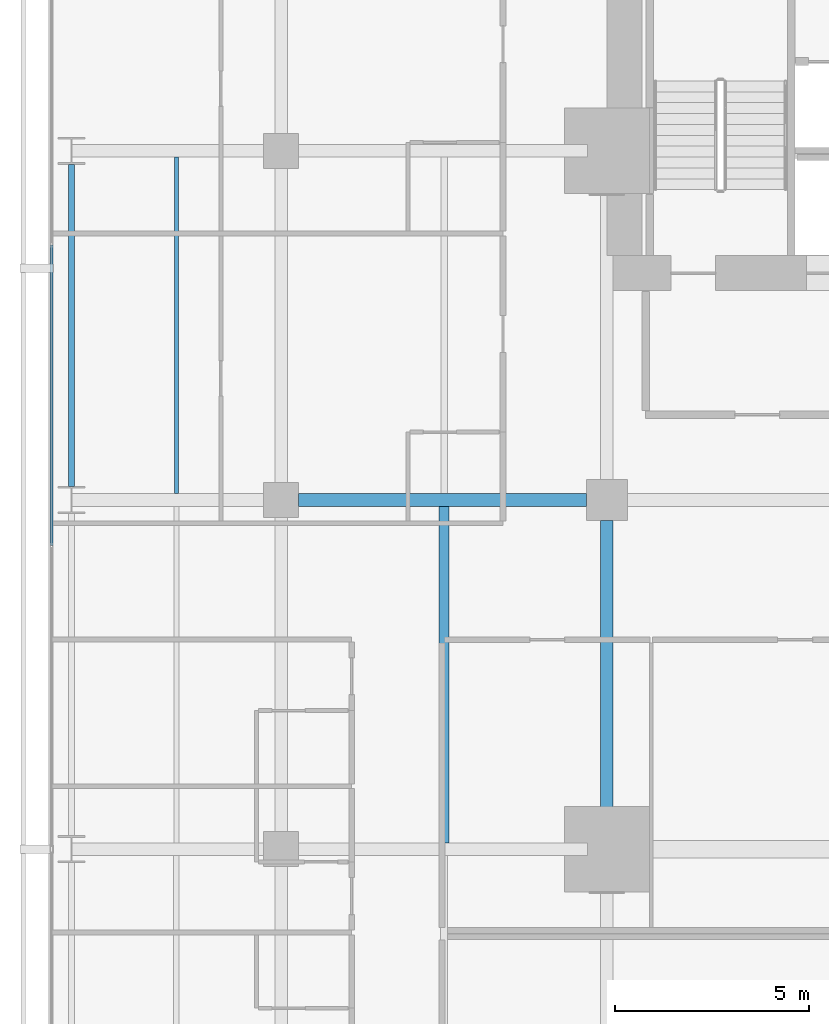
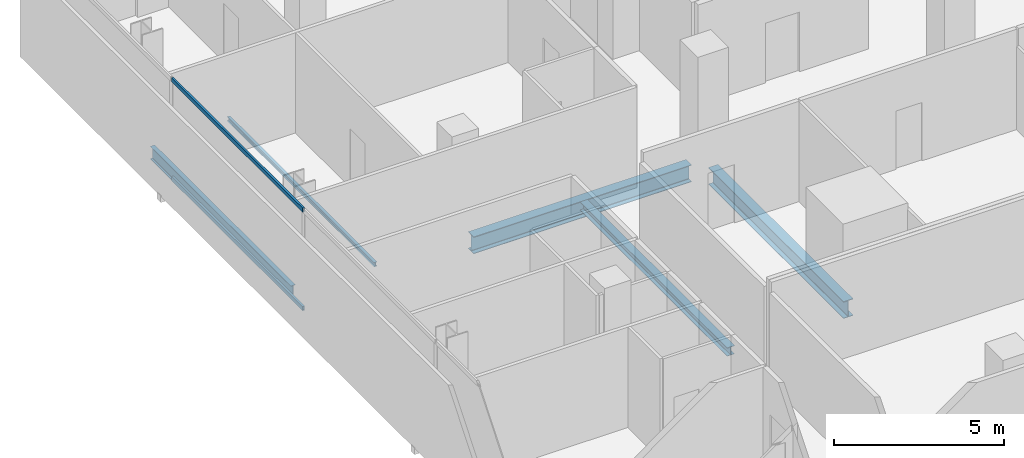
# One storey, part 22 of 40: 5 beams, 2 members, 1 element without a shape of its own.
"""IFC4 building model written with IfcOpenShell, lengths in metres."""

from ifc_helpers import new_model, si_unit, direction, frame, origin, origin_2d, place, context, subcontext, project, spatial, hollow_rectangle, i_section, extrude, material, layer, layer_set, material_profile, profile_set, type_object, element, aggregate, save


model = new_model("IFC4")

# Units and contexts
model_context = context("Model", 3, precision=1e-05, world=origin(), true_north=direction((0.0, 1.0)))
body_context = subcontext(model_context, "Body", "Model", "MODEL_VIEW")
ifc_project = project(units=[si_unit("LENGTHUNIT", "METRE"), si_unit("AREAUNIT", "SQUARE_METRE"), si_unit("VOLUMEUNIT", "CUBIC_METRE"), si_unit("PLANEANGLEUNIT", "RADIAN"), si_unit("MASSUNIT", "GRAM", prefix="KILO")], contexts=[model_context])

# Site, building, storey
site_placement = place(None, origin())
site = spatial("IfcSite", under=ifc_project, at=site_placement, CompositionType="ELEMENT")
building_placement = place(site_placement, origin())
building = spatial("IfcBuilding", under=site, at=building_placement, Name="Maruvema Waterfront Hotel and Observation Tower", CompositionType="ELEMENT")
storey_placement = place(building_placement, frame((0.0, 0.0, 103.949951171875)))
storey = spatial("IfcBuildingStorey", under=building, at=storey_placement, Name="L25", CompositionType="ELEMENT", Elevation=103.949951171875)

# Curtain wall, members
ifc_material_1 = material(Name="Anodised bronze aluminium and solar-control low-E IGU", Category="aluminium")
ifc_layer = layer(ifc_material_1, 0.159912109375, Name="Zone 1 Bronze Inner Thermal Curtain Wall System CW-02")
ifc_layer_set = layer_set([ifc_layer], Name="Anodised bronze aluminium and solar-control low-E IGU")
curtain_wall_type = type_object("IfcCurtainWallType", Name="Zone 1 Bronze Inner Thermal Curtain Wall System CW-02", PredefinedType="USERDEFINED", material=ifc_layer_set)
curtain_wall_placement = place(storey_placement, origin())
curtain_wall = element("IfcCurtainWall", 1, at=curtain_wall_placement, inside=storey, type_object=curtain_wall_type, Name="L25 Curtain Wall CW-L25-W", ObjectType="UNITISED CURTAIN WALL", PredefinedType="USERDEFINED")
ifc_material_2 = material(Name="Anodised architectural bronze aluminium", Category="aluminium")
ifc_material_profile_1 = material_profile(ifc_material_2, hollow_rectangle(XDim=0.070068359375, YDim=0.14990234375, WallThickness=0.00390625, at=origin_2d()), Name="ALU-T70x150")
ifc_profile_set_1 = profile_set([ifc_material_profile_1], Name="Anodised architectural bronze aluminium")
member_type = type_object("IfcMemberType", Name="Curtain Wall Horizontal Transom ALU-T70x150", PredefinedType="USERDEFINED", material=ifc_profile_set_1)
member_1_placement = place(storey_placement, frame((10.8798828125, 42.570068359375, 0.030029296875), z_axis=(0.0, -1.0, 0.0), x_axis=(1.0, 0.0, 0.0)))
member_1 = element("IfcMember", 2, at=member_1_placement, type_object=member_type, Name="CW-02 transom 2.1", ObjectType="TRANSOM", PredefinedType="USERDEFINED", context=body_context, shape_type="SweptSolid", body=[
    extrude(hollow_rectangle(XDim=0.070068359375, YDim=0.14990234375, WallThickness=0.00390625, at=origin_2d()), origin(), (0.0, 0.0, 1.0), 7.739990234375),
])
member_2_placement = place(storey_placement, frame((10.8798828125, 42.570068359375, 3.580078125), z_axis=(0.0, -1.0, 0.0), x_axis=(1.0, 0.0, 0.0)))
member_2 = element("IfcMember", 3, at=member_2_placement, type_object=member_type, Name="CW-02 transom 2.2", ObjectType="TRANSOM", PredefinedType="USERDEFINED", context=body_context, shape_type="SweptSolid", body=[
    extrude(hollow_rectangle(XDim=0.070068359375, YDim=0.14990234375, WallThickness=0.00390625, at=origin_2d()), origin(), (0.0, 0.0, 1.0), 7.739990234375),
])
aggregate(curtain_wall, [member_1, member_2])

# Beams
ifc_material_3 = material(Name="Steel ASTM A572 Grade 50", Category="steel")
ifc_material_profile_2 = material_profile(ifc_material_3, i_section(OverallWidth=0.153076171875, OverallDepth=0.455078125, WebThickness=0.008056640625, FlangeThickness=0.01318359375, FilletRadius=0.014892578125, at=origin_2d()), Name="W460x60.0")
ifc_profile_set_2 = profile_set([ifc_material_profile_2], Name="Steel ASTM A572 Grade 50")
beam_type_1 = type_object("IfcBeamType", Name="Perimeter Spandrel Beam W460x60.0", PredefinedType="SPANDREL", material=ifc_profile_set_2)
beam_1_placement = place(storey_placement, frame((11.39990234375, 36.35009765625, -0.467529296875), z_axis=(0.0, 1.0, 0.0), x_axis=(-1.0, 0.0, 0.0)))
element("IfcBeam", 4, at=beam_1_placement, inside=storey, type_object=beam_type_1, Name="L25 Floor Girder NS-04", PredefinedType="SPANDREL", context=body_context, shape_type="SweptSolid", body=[
    extrude(i_section(OverallWidth=0.153076171875, OverallDepth=0.455078125, WebThickness=0.008056640625, FlangeThickness=0.01318359375, FilletRadius=0.014892578125, at=origin_2d()), origin(), (0.0, 0.0, 1.0), 8.2998046875),
])
ifc_material_4 = material(Name="Steel ASTM A572 Grade 50", Category="steel")
ifc_material_profile_3 = material_profile(ifc_material_4, i_section(OverallWidth=0.323974609375, OverallDepth=0.611083984375, WebThickness=0.0126953125, FlangeThickness=0.01904296875, FilletRadius=0.01806640625, at=origin_2d()), Name="W610x155.0")
ifc_profile_set_3 = profile_set([ifc_material_profile_3], Name="Steel ASTM A572 Grade 50")
beam_type_2 = type_object("IfcBeamType", Name="Primary Floor Girder W610x155.0", PredefinedType="BEAM", material=ifc_profile_set_3)
beam_2_placement = place(storey_placement, frame((17.25, 36.0, -0.54541015625), z_axis=(1.0, 0.0, 0.0), x_axis=(0.0, 1.0, 0.0)))
element("IfcBeam", 5, at=beam_2_placement, inside=storey, type_object=beam_type_2, Name="L25 Floor Girder EW-26", PredefinedType="BEAM", context=body_context, shape_type="SweptSolid", body=[
    extrude(i_section(OverallWidth=0.323974609375, OverallDepth=0.611083984375, WebThickness=0.0126953125, FlangeThickness=0.01904296875, FilletRadius=0.01806640625, at=origin_2d()), origin(), (0.0, 0.0, 1.0), 7.425048828125),
])
beam_3_placement = place(storey_placement, frame((25.199951171875, 27.5, -0.54541015625), z_axis=(0.0, 1.0, 0.0), x_axis=(-1.0, 0.0, 0.0)))
element("IfcBeam", 6, at=beam_3_placement, inside=storey, type_object=beam_type_2, Name="L25 Floor Girder NS-14", PredefinedType="BEAM", context=body_context, shape_type="SweptSolid", body=[
    extrude(i_section(OverallWidth=0.323974609375, OverallDepth=0.611083984375, WebThickness=0.0126953125, FlangeThickness=0.01904296875, FilletRadius=0.01806640625, at=origin_2d()), origin(), (0.0, 0.0, 1.0), 7.97509765625),
])
ifc_material_5 = material(Name="Steel ASTM A572 Grade 50", Category="steel")
ifc_material_profile_4 = material_profile(ifc_material_5, i_section(OverallWidth=0.10009765625, OverallDepth=0.153076171875, WebThickness=0.005859375, FlangeThickness=0.007080078125, FilletRadius=0.008056640625, at=origin_2d()), Name="W150x18.0")
ifc_profile_set_4 = profile_set([ifc_material_profile_4], Name="Steel ASTM A572 Grade 50")
beam_type_3 = type_object("IfcBeamType", Name="Secondary Floor Joist W150x18.0", PredefinedType="JOIST", material=ifc_profile_set_4)
beam_4_placement = place(storey_placement, frame((14.10009765625, 36.162109375, -0.31640625), z_axis=(0.0, 1.0, 0.0), x_axis=(-1.0, 0.0, 0.0)))
element("IfcBeam", 7, at=beam_4_placement, inside=storey, type_object=beam_type_3, Name="L25 Secondary Floor Joist JS-04", PredefinedType="JOIST", context=body_context, shape_type="SweptSolid", body=[
    extrude(i_section(OverallWidth=0.10009765625, OverallDepth=0.153076171875, WebThickness=0.005859375, FlangeThickness=0.007080078125, FilletRadius=0.008056640625, at=origin_2d()), origin(), (0.0, 0.0, 1.0), 8.67578125),
])
ifc_material_6 = material(Name="Steel ASTM A572 Grade 50", Category="steel")
ifc_material_profile_5 = material_profile(ifc_material_6, i_section(OverallWidth=0.25390625, OverallDepth=0.305908203125, WebThickness=0.0087890625, FlangeThickness=0.0146484375, FilletRadius=0.014892578125, at=origin_2d()), Name="W310x79.0")
ifc_profile_set_5 = profile_set([ifc_material_profile_5], Name="Steel ASTM A572 Grade 50")
beam_type_4 = type_object("IfcBeamType", Name="Secondary Floor Joist W310x79.0", PredefinedType="JOIST", material=ifc_profile_set_5)
beam_5_placement = place(storey_placement, frame((21.0, 27.162109375, -0.39306640625), z_axis=(0.0, 1.0, 0.0), x_axis=(-1.0, 0.0, 0.0)))
element("IfcBeam", 8, at=beam_5_placement, inside=storey, type_object=beam_type_4, Name="L25 Secondary Floor Joist JS-08", PredefinedType="JOIST", context=body_context, shape_type="SweptSolid", body=[
    extrude(i_section(OverallWidth=0.25390625, OverallDepth=0.305908203125, WebThickness=0.0087890625, FlangeThickness=0.0146484375, FilletRadius=0.014892578125, at=origin_2d()), origin(), (0.0, 0.0, 1.0), 8.67578125),
])

save(model, "model.ifc")
